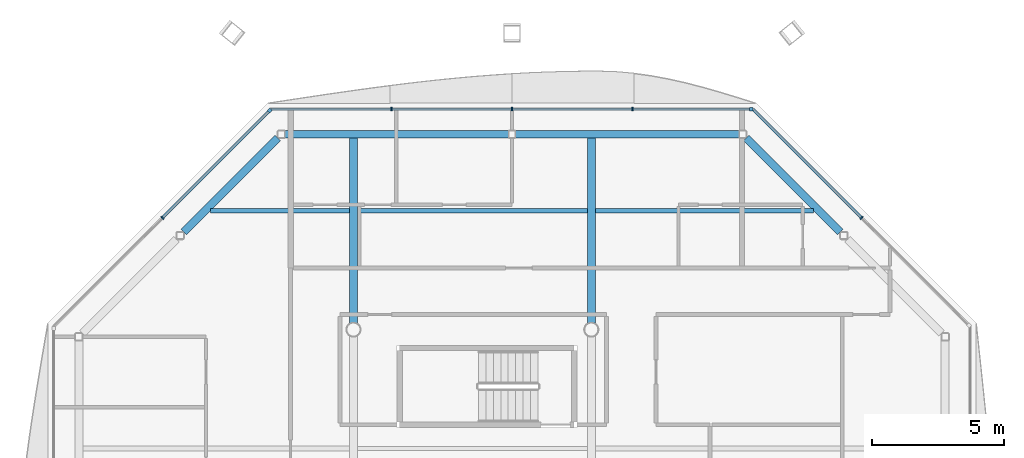
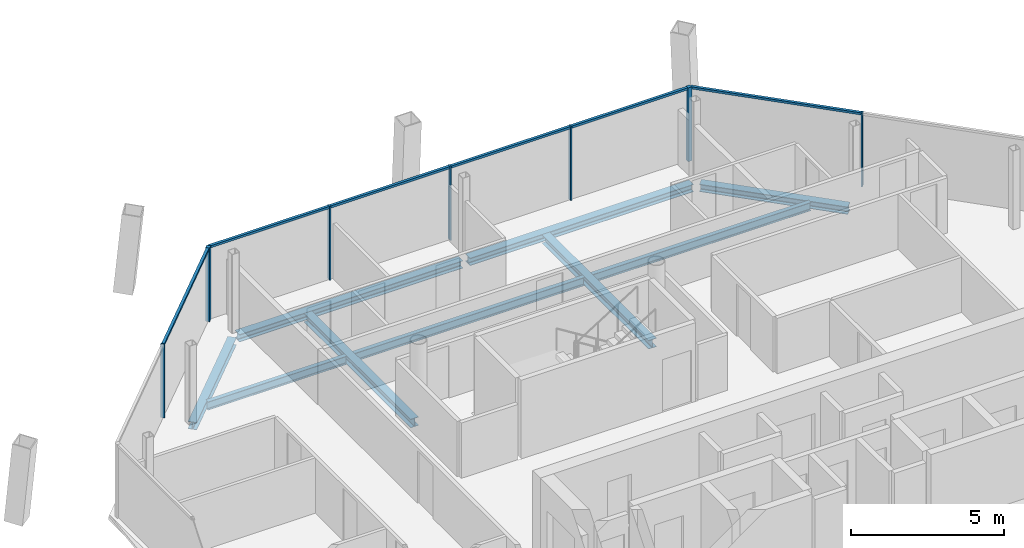
# One storey, part 8 of 16: 13 members, 9 beams, 3 elements without a shape of their own.
"""IFC4 building model written with IfcOpenShell, lengths in metres."""

from ifc_helpers import new_model, si_unit, direction, frame, origin, origin_2d, place, context, subcontext, project, spatial, rectangle, i_section, extrude, material, material_profile, profile_set, type_object, element, aggregate, save


model = new_model("IFC4")

# Units and contexts
model_context = context("Model", 3, precision=1e-05, world=origin(), true_north=direction((0.0, 1.0)))
body_context = subcontext(model_context, "Body", "Model", "MODEL_VIEW")
ifc_project = project(units=[si_unit("LENGTHUNIT", "METRE"), si_unit("AREAUNIT", "SQUARE_METRE"), si_unit("VOLUMEUNIT", "CUBIC_METRE"), si_unit("PLANEANGLEUNIT", "RADIAN"), si_unit("MASSUNIT", "GRAM", prefix="KILO")], contexts=[model_context])

# Site, building, storey
site_placement = place(None, origin())
site = spatial("IfcSite", under=ifc_project, at=site_placement, CompositionType="ELEMENT")
building_placement = place(site_placement, origin())
building = spatial("IfcBuilding", under=site, at=building_placement, Name="Tskaro Facet Tower", CompositionType="ELEMENT")
storey_placement = place(building_placement, frame((0.0, 0.0, 248.699951171875)))
storey = spatial("IfcBuildingStorey", under=building, at=storey_placement, Name="L65", CompositionType="ELEMENT", Elevation=248.699951171875)

# Curtain wall, member
ifc_material_1 = material(Name="Bronze anodised aluminium 6063-T6", Category="aluminium")
curtain_wall_type = type_object("IfcCurtainWallType", Name="Bronze residence curtain wall (FW3)", PredefinedType="NOTDEFINED", material=ifc_material_1)
curtain_wall_1_placement = place(storey_placement, origin())
curtain_wall_1 = element("IfcCurtainWall", 1, at=curtain_wall_1_placement, inside=storey, type_object=curtain_wall_type, Name="FW3 north facet L65", PredefinedType="NOTDEFINED")
ifc_material_profile_1 = material_profile(ifc_material_1, rectangle(XDim=0.139892578125, YDim=0.139892578125, at=origin_2d()), Name="Corner post 140x140")
ifc_profile_set_1 = profile_set([ifc_material_profile_1], Name="Bronze anodised aluminium 6063-T6")
member_type_1 = type_object("IfcMemberType", Name="FW3 bronze corner post 140x140", PredefinedType="MULLION", material=ifc_profile_set_1)
member_1_placement = place(storey_placement, frame((6.048095703125, 17.341064453125, 0.0), z_axis=(0.0, 0.0, 1.0), x_axis=(-1.0, 0.0, 0.0)))
member_1 = element("IfcMember", 2, at=member_1_placement, type_object=member_type_1, Name="FW3 north corner post", PredefinedType="MULLION", context=body_context, shape_type="SweptSolid", body=[
    extrude(rectangle(XDim=0.139892578125, YDim=0.139892578125, at=origin_2d()), origin(), (0.0, 0.0, 1.0), 2.949951171875),
])

curtain_wall_2_placement = place(storey_placement, origin())
curtain_wall_2 = element("IfcCurtainWall", 3, at=curtain_wall_2_placement, inside=storey, type_object=curtain_wall_type, Name="FW3 north-west facet L65", PredefinedType="NOTDEFINED")
member_2_placement = place(storey_placement, frame((-12.16748046875, 17.29150390625, 0.0), z_axis=(0.0, 0.0, 1.0), x_axis=(-0.707106781187, -0.707106781187, 0.0)))
member_2 = element("IfcMember", 4, at=member_2_placement, type_object=member_type_1, Name="FW3 north-west corner post", PredefinedType="MULLION", context=body_context, shape_type="SweptSolid", body=[
    extrude(rectangle(XDim=0.139892578125, YDim=0.139892578125, at=origin_2d()), origin(), (0.0, 0.0, 1.0), 2.949951171875),
])

curtain_wall_3_placement = place(storey_placement, origin())
curtain_wall_3 = element("IfcCurtainWall", 5, at=curtain_wall_3_placement, inside=storey, type_object=curtain_wall_type, Name="FW3 north-east facet L65", PredefinedType="NOTDEFINED")
ifc_material_profile_2 = material_profile(ifc_material_1, rectangle(XDim=0.050048828125, YDim=0.139892578125, at=origin_2d()), Name="Mullion 50x140")
ifc_profile_set_2 = profile_set([ifc_material_profile_2], Name="Bronze anodised aluminium 6063-T6")
member_type_2 = type_object("IfcMemberType", Name="FW3 bronze mullion 50x140", PredefinedType="MULLION", material=ifc_profile_set_2)
member_3_placement = place(storey_placement, frame((10.2294921875, 13.2294921875, 0.0), z_axis=(0.0, 0.0, 1.0), x_axis=(-0.707106781187, 0.707106781187, 0.0)))
member_3 = element("IfcMember", 6, at=member_3_placement, type_object=member_type_2, Name="FW3 north-east mullion 1", PredefinedType="MULLION", context=body_context, shape_type="SweptSolid", body=[
    extrude(rectangle(XDim=0.050048828125, YDim=0.139892578125, at=origin_2d()), origin(), (0.0, 0.0, 1.0), 2.949951171875),
])

# Member
member_4_placement = place(storey_placement, frame((1.55908203125, 17.341064453125, 0.0), z_axis=(0.0, 0.0, 1.0), x_axis=(-1.0, 0.0, 0.0)))
member_4 = element("IfcMember", 7, at=member_4_placement, type_object=member_type_2, Name="FW3 north mullion 1", PredefinedType="MULLION", context=body_context, shape_type="SweptSolid", body=[
    extrude(rectangle(XDim=0.050048828125, YDim=0.139892578125, at=origin_2d()), origin(), (0.0, 0.0, 1.0), 2.949951171875),
])

member_5_placement = place(storey_placement, frame((-3.0, 17.341064453125, 0.0), z_axis=(0.0, 0.0, 1.0), x_axis=(-1.0, 0.0, 0.0)))
member_5 = element("IfcMember", 8, at=member_5_placement, type_object=member_type_2, Name="FW3 north mullion 2", PredefinedType="MULLION", context=body_context, shape_type="SweptSolid", body=[
    extrude(rectangle(XDim=0.050048828125, YDim=0.139892578125, at=origin_2d()), origin(), (0.0, 0.0, 1.0), 2.949951171875),
])

member_6_placement = place(storey_placement, frame((-7.55908203125, 17.341064453125, 0.0), z_axis=(0.0, 0.0, 1.0), x_axis=(-1.0, 0.0, 0.0)))
member_6 = element("IfcMember", 9, at=member_6_placement, type_object=member_type_2, Name="FW3 north mullion 3", PredefinedType="MULLION", context=body_context, shape_type="SweptSolid", body=[
    extrude(rectangle(XDim=0.050048828125, YDim=0.139892578125, at=origin_2d()), origin(), (0.0, 0.0, 1.0), 2.949951171875),
])

member_7_placement = place(storey_placement, frame((-16.2294921875, 13.2294921875, 0.0), z_axis=(0.0, 0.0, 1.0), x_axis=(-0.707106781187, -0.707106781187, 0.0)))
member_7 = element("IfcMember", 10, at=member_7_placement, type_object=member_type_2, Name="FW3 north-west mullion 1", PredefinedType="MULLION", context=body_context, shape_type="SweptSolid", body=[
    extrude(rectangle(XDim=0.050048828125, YDim=0.139892578125, at=origin_2d()), origin(), (0.0, 0.0, 1.0), 2.949951171875),
])

ifc_material_profile_3 = material_profile(ifc_material_1, rectangle(XDim=0.10009765625, YDim=0.090087890625, at=origin_2d()), Name="Transom 100x90")
ifc_profile_set_3 = profile_set([ifc_material_profile_3], Name="Bronze anodised aluminium 6063-T6")
member_type_3 = type_object("IfcMemberType", Name="FW3 bronze transom 100x90", PredefinedType="USERDEFINED", material=ifc_profile_set_3)
member_8_placement = place(storey_placement, frame((10.2119140625, 13.2470703125, 2.905029296875), z_axis=(-0.707106781187, 0.707106781187, 0.0), x_axis=(-0.707106781187, -0.707106781187, 0.0)))
member_8 = element("IfcMember", 11, at=member_8_placement, type_object=member_type_3, Name="FW3 north-east transom 2.1", ObjectType="TRANSOM", PredefinedType="USERDEFINED", context=body_context, shape_type="SweptSolid", body=[
    extrude(rectangle(XDim=0.10009765625, YDim=0.090087890625, at=origin_2d()), origin(), (0.0, 0.0, 1.0), 5.789794921875),
])

aggregate(curtain_wall_3, [member_3, member_8])

member_9_placement = place(storey_placement, frame((5.97802734375, 17.341064453125, 2.905029296875), z_axis=(-1.0, 0.0, 0.0), x_axis=(0.0, -1.0, 0.0)))
member_9 = element("IfcMember", 12, at=member_9_placement, type_object=member_type_3, Name="FW3 north transom 1.1", ObjectType="TRANSOM", PredefinedType="USERDEFINED", context=body_context, shape_type="SweptSolid", body=[
    extrude(rectangle(XDim=0.10009765625, YDim=0.090087890625, at=origin_2d()), origin(), (0.0, 0.0, 1.0), 4.39404296875),
])

member_10_placement = place(storey_placement, frame((1.533935546875, 17.341064453125, 2.905029296875), z_axis=(-1.0, 0.0, 0.0), x_axis=(0.0, -1.0, 0.0)))
member_10 = element("IfcMember", 13, at=member_10_placement, type_object=member_type_3, Name="FW3 north transom 2.1", ObjectType="TRANSOM", PredefinedType="USERDEFINED", context=body_context, shape_type="SweptSolid", body=[
    extrude(rectangle(XDim=0.10009765625, YDim=0.090087890625, at=origin_2d()), origin(), (0.0, 0.0, 1.0), 4.509033203125),
])

member_11_placement = place(storey_placement, frame((-3.02490234375, 17.341064453125, 2.905029296875), z_axis=(-1.0, 0.0, 0.0), x_axis=(0.0, -1.0, 0.0)))
member_11 = element("IfcMember", 14, at=member_11_placement, type_object=member_type_3, Name="FW3 north transom 3.1", ObjectType="TRANSOM", PredefinedType="USERDEFINED", context=body_context, shape_type="SweptSolid", body=[
    extrude(rectangle(XDim=0.10009765625, YDim=0.090087890625, at=origin_2d()), origin(), (0.0, 0.0, 1.0), 4.509033203125),
])

member_12_placement = place(storey_placement, frame((-7.583984375, 17.341064453125, 2.905029296875), z_axis=(-1.0, 0.0, 0.0), x_axis=(0.0, -1.0, 0.0)))
member_12 = element("IfcMember", 15, at=member_12_placement, type_object=member_type_3, Name="FW3 north transom 4.1", ObjectType="TRANSOM", PredefinedType="USERDEFINED", context=body_context, shape_type="SweptSolid", body=[
    extrude(rectangle(XDim=0.10009765625, YDim=0.090087890625, at=origin_2d()), origin(), (0.0, 0.0, 1.0), 4.533935546875),
])

aggregate(curtain_wall_1, [member_1, member_4, member_5, member_6, member_9, member_10, member_11, member_12])

member_13_placement = place(storey_placement, frame((-12.217041015625, 17.241943359375, 2.905029296875), z_axis=(-0.707106781187, -0.707106781187, 0.0), x_axis=(0.707106781187, -0.707106781187, 0.0)))
member_13 = element("IfcMember", 16, at=member_13_placement, type_object=member_type_3, Name="FW3 north-west transom 1.1", ObjectType="TRANSOM", PredefinedType="USERDEFINED", context=body_context, shape_type="SweptSolid", body=[
    extrude(rectangle(XDim=0.10009765625, YDim=0.090087890625, at=origin_2d()), origin(), (0.0, 0.0, 1.0), 5.649658203125),
])

aggregate(curtain_wall_2, [member_2, member_7, member_13])

# Beams
ifc_material_2 = material(Name="Steel S355J2", Category="steel")
ifc_material_profile_4 = material_profile(ifc_material_2, i_section(OverallWidth=0.300048828125, OverallDepth=0.300048828125, WebThickness=0.010986328125, FlangeThickness=0.01904296875, FilletRadius=0.027099609375, at=origin_2d()), Name="HE 300 B")
ifc_profile_set_4 = profile_set([ifc_material_profile_4], Name="Steel S355J2")
beam_type_1 = type_object("IfcBeamType", Name="HE 300 B ring beam", PredefinedType="BEAM", material=ifc_profile_set_4)
beam_1_placement = place(storey_placement, frame((9.422119140625, 12.69384765625, -0.2900390625), z_axis=(-0.707106781187, 0.707106781187, 0.0), x_axis=(-0.707106781187, -0.707106781187, 0.0)))
element("IfcBeam", 17, at=beam_1_placement, inside=storey, type_object=beam_type_1, Name="HE 300 B EB9-5", PredefinedType="BEAM", context=body_context, shape_type="SweptSolid", body=[
    extrude(i_section(OverallWidth=0.300048828125, OverallDepth=0.300048828125, WebThickness=0.010986328125, FlangeThickness=0.01904296875, FilletRadius=0.027099609375, at=origin_2d()), origin(), (0.0, 0.0, 1.0), 5.036376953125),
])
for number, where, z_axis, x_axis, name in (
    (18, (5.594970703125, 16.39111328125, -0.2900390625), (-1.0, 0.0, 0.0), (0.0, -1.0, 0.0), "HE 300 B EB10-5"),
    (19, (-3.1298828125, 16.39111328125, -0.2900390625), (-1.0, 0.0, 0.0), (0.0, -1.0, 0.0), "HE 300 B EB11-5"),
):
    element("IfcBeam", number, at=place(storey_placement, frame(where, z_axis=z_axis, x_axis=x_axis)), inside=storey, type_object=beam_type_1, Name=name, PredefinedType="BEAM", context=body_context, shape_type="SweptSolid", body=[
        extrude(i_section(OverallWidth=0.300048828125, OverallDepth=0.300048828125, WebThickness=0.010986328125, FlangeThickness=0.01904296875, FilletRadius=0.027099609375, at=origin_2d()), origin(), (0.0, 0.0, 1.0), 8.465087890625),
    ])
beam_2_placement = place(storey_placement, frame((-11.86083984375, 16.255126953125, -0.2900390625), z_axis=(-0.707106781187, -0.707106781187, 0.0), x_axis=(0.707106781187, -0.707106781187, 0.0)))
element("IfcBeam", 20, at=beam_2_placement, inside=storey, type_object=beam_type_1, Name="HE 300 B EB12-5", PredefinedType="BEAM", context=body_context, shape_type="SweptSolid", body=[
    extrude(i_section(OverallWidth=0.300048828125, OverallDepth=0.300048828125, WebThickness=0.010986328125, FlangeThickness=0.01904296875, FilletRadius=0.027099609375, at=origin_2d()), origin(), (0.0, 0.0, 1.0), 5.036376953125),
])
ifc_material_profile_5 = material_profile(ifc_material_2, i_section(OverallWidth=0.300048828125, OverallDepth=0.35009765625, WebThickness=0.010009765625, FlangeThickness=0.017578125, FilletRadius=0.027099609375, at=origin_2d()), Name="HE 360 A")
ifc_profile_set_5 = profile_set([ifc_material_profile_5], Name="Steel S355J2")
beam_type_2 = type_object("IfcBeamType", Name="HE 360 A girder", PredefinedType="BEAM", material=ifc_profile_set_5)
for number, where, z_axis, x_axis, name in (
    (21, (-9.0, 9.24951171875, -0.31494140625), (0.0, 1.0, 0.0), (-1.0, 0.0, 0.0), "HE 360 A GB3-3-5"),
    (22, (0.0, 9.24951171875, -0.31494140625), (0.0, 1.0, 0.0), (-1.0, 0.0, 0.0), "HE 360 A GB4-3-5"),
):
    element("IfcBeam", number, at=place(storey_placement, frame(where, z_axis=z_axis, x_axis=x_axis)), inside=storey, type_object=beam_type_2, Name=name, PredefinedType="BEAM", context=body_context, shape_type="SweptSolid", body=[
        extrude(i_section(OverallWidth=0.300048828125, OverallDepth=0.35009765625, WebThickness=0.010009765625, FlangeThickness=0.017578125, FilletRadius=0.027099609375, at=origin_2d()), origin(), (0.0, 0.0, 1.0), 6.991455078125),
    ])
ifc_material_profile_6 = material_profile(ifc_material_2, i_section(OverallWidth=0.159912109375, OverallDepth=0.330078125, WebThickness=0.007568359375, FlangeThickness=0.011474609375, FilletRadius=0.01806640625, at=origin_2d()), Name="IPE 330")
ifc_profile_set_6 = profile_set([ifc_material_profile_6], Name="Steel S355J2")
beam_type_3 = type_object("IfcBeamType", Name="IPE 330 secondary beam", PredefinedType="BEAM", material=ifc_profile_set_6)
beam_3_placement = place(storey_placement, frame((-14.404052734375, 13.5, -0.304931640625), z_axis=(1.0, 0.0, 0.0), x_axis=(0.0, 1.0, 0.0)))
element("IfcBeam", 23, at=beam_3_placement, inside=storey, type_object=beam_type_3, Name="IPE 330 SB5a-1-5", PredefinedType="BEAM", context=body_context, shape_type="SweptSolid", body=[
    extrude(i_section(OverallWidth=0.159912109375, OverallDepth=0.330078125, WebThickness=0.007568359375, FlangeThickness=0.011474609375, FilletRadius=0.01806640625, at=origin_2d()), origin(), (0.0, 0.0, 1.0), 5.254150390625),
])
beam_4_placement = place(storey_placement, frame((-8.85009765625, 13.5, -0.304931640625), z_axis=(1.0, 0.0, 0.0), x_axis=(0.0, 1.0, 0.0)))
element("IfcBeam", 24, at=beam_4_placement, inside=storey, type_object=beam_type_3, Name="IPE 330 SB5a-2-5", PredefinedType="BEAM", context=body_context, shape_type="SweptSolid", body=[
    extrude(i_section(OverallWidth=0.159912109375, OverallDepth=0.330078125, WebThickness=0.007568359375, FlangeThickness=0.011474609375, FilletRadius=0.01806640625, at=origin_2d()), origin(), (0.0, 0.0, 1.0), 8.7001953125),
])
beam_5_placement = place(storey_placement, frame((0.14990234375, 13.5, -0.304931640625), z_axis=(1.0, 0.0, 0.0), x_axis=(0.0, 1.0, 0.0)))
element("IfcBeam", 25, at=beam_5_placement, inside=storey, type_object=beam_type_3, Name="IPE 330 SB5a-3-5", PredefinedType="BEAM", context=body_context, shape_type="SweptSolid", body=[
    extrude(i_section(OverallWidth=0.159912109375, OverallDepth=0.330078125, WebThickness=0.007568359375, FlangeThickness=0.011474609375, FilletRadius=0.01806640625, at=origin_2d()), origin(), (0.0, 0.0, 1.0), 8.254150390625),
])

save(model, "model.ifc")
